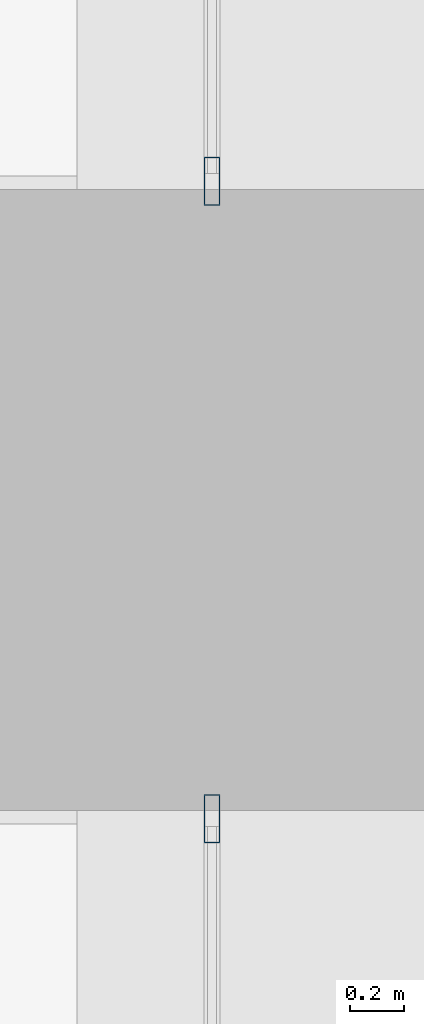
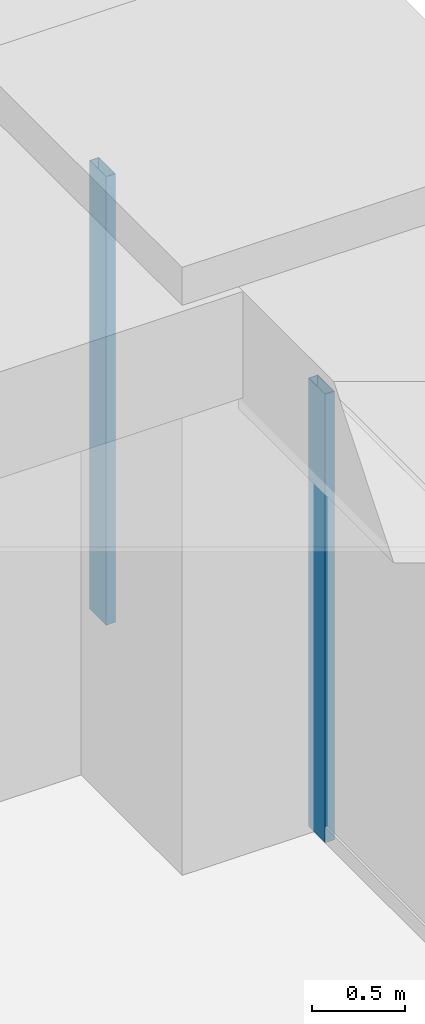
# One storey, part 22 of 43: 2 members, 2 elements without a shape of their own.
"""IFC4 building model written with IfcOpenShell, lengths in metres."""

from ifc_helpers import new_model, si_unit, direction, frame, origin, origin_2d, place, context, subcontext, project, spatial, hollow_rectangle, extrude, material, material_profile, profile_set, type_object, element, aggregate, save


model = new_model("IFC4")

# Units and contexts
model_context = context("Model", 3, precision=1e-05, world=origin(), true_north=direction((0.0, 1.0)))
body_context = subcontext(model_context, "Body", "Model", "MODEL_VIEW")
ifc_project = project(units=[si_unit("LENGTHUNIT", "METRE"), si_unit("AREAUNIT", "SQUARE_METRE"), si_unit("VOLUMEUNIT", "CUBIC_METRE"), si_unit("PLANEANGLEUNIT", "RADIAN"), si_unit("MASSUNIT", "GRAM", prefix="KILO")], contexts=[model_context])

# Site, building, storey
site_placement = place(None, origin())
site = spatial("IfcSite", under=ifc_project, at=site_placement, CompositionType="ELEMENT")
building_placement = place(site_placement, origin())
building = spatial("IfcBuilding", under=site, at=building_placement, Name="Zorevar Civic Tower", CompositionType="ELEMENT")
storey_placement = place(building_placement, frame((0.0, 0.0, 67.800048828125)))
storey = spatial("IfcBuildingStorey", under=building, at=storey_placement, Name="L16", CompositionType="ELEMENT", Elevation=67.800048828125)

# Curtain wall, member
ifc_material_1 = material(Name="Dark grey solar-control glass in black aluminium frame", Category="aluminium")
curtain_wall_type = type_object("IfcCurtainWallType", Name="Curtain wall CW2 low zone", PredefinedType="NOTDEFINED", material=ifc_material_1)
curtain_wall_1_placement = place(storey_placement, origin())
curtain_wall_1 = element("IfcCurtainWall", 1, at=curtain_wall_1_placement, inside=storey, type_object=curtain_wall_type, Name="CW2 L16", PredefinedType="NOTDEFINED")
ifc_material_2 = material(Name="Aluminium, black anodised", Category="aluminium")
ifc_material_profile = material_profile(ifc_material_2, hollow_rectangle(XDim=0.06005859375, YDim=0.179931640625, WallThickness=0.00390625, at=origin_2d()), Name="AL 180x60x4")
ifc_profile_set = profile_set([ifc_material_profile], Name="Aluminium, black anodised")
member_type = type_object("IfcMemberType", Name="CW2 mullion AL 180x60x4", PredefinedType="MULLION", material=ifc_profile_set)
member_1_placement = place(storey_placement, frame((62.699951171875, 25.820068359375, 0.0), z_axis=(0.0, 0.0, 1.0), x_axis=(-1.0, 0.0, 0.0)))
member_1 = element("IfcMember", 2, at=member_1_placement, type_object=member_type, Name="CW2 mullion 3", PredefinedType="MULLION", context=body_context, shape_type="SweptSolid", body=[
    extrude(hollow_rectangle(XDim=0.06005859375, YDim=0.179931640625, WallThickness=0.00390625, at=origin_2d()), origin(), (0.0, 0.0, 1.0), 2.949951171875),
])
aggregate(curtain_wall_1, [member_1])

curtain_wall_2_placement = place(storey_placement, origin())
curtain_wall_2 = element("IfcCurtainWall", 3, at=curtain_wall_2_placement, inside=storey, type_object=curtain_wall_type, Name="CW2 L16", PredefinedType="NOTDEFINED")
member_2_placement = place(storey_placement, frame((62.699951171875, 28.179931640625, 0.0), z_axis=(0.0, 0.0, 1.0), x_axis=(-1.0, 0.0, 0.0)))
member_2 = element("IfcMember", 4, at=member_2_placement, type_object=member_type, Name="CW2 mullion 1", PredefinedType="MULLION", context=body_context, shape_type="SweptSolid", body=[
    extrude(hollow_rectangle(XDim=0.06005859375, YDim=0.179931640625, WallThickness=0.00390625, at=origin_2d()), origin(), (0.0, 0.0, 1.0), 2.949951171875),
])
aggregate(curtain_wall_2, [member_2])

save(model, "model.ifc")
